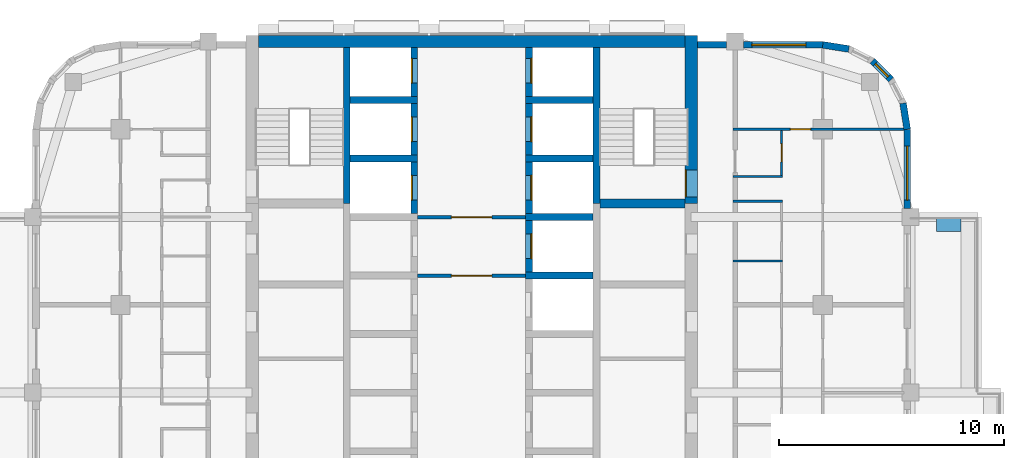
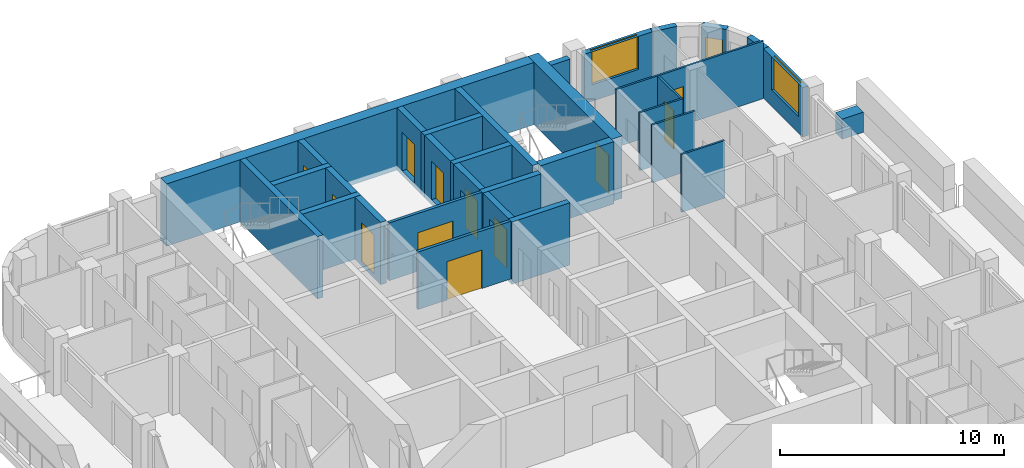
# One storey, part 8 of 13: 32 walls, 12 doors, 3 windows, 15 openings.
"""IFC4 building model written with IfcOpenShell, lengths in metres."""

from ifc_helpers import new_model, si_unit, direction, frame, frame_2d, origin, place, context, subcontext, project, spatial, rectangle, extrude, material, layer, layer_set, type_object, element, fill, save


model = new_model("IFC4")

# Units and contexts
model_context = context("Model", 3, precision=1e-05, world=origin(), true_north=direction((0.0, 1.0)))
body_context = subcontext(model_context, "Body", "Model", "MODEL_VIEW")
ifc_project = project(units=[si_unit("LENGTHUNIT", "METRE"), si_unit("AREAUNIT", "SQUARE_METRE"), si_unit("VOLUMEUNIT", "CUBIC_METRE"), si_unit("PLANEANGLEUNIT", "RADIAN"), si_unit("MASSUNIT", "GRAM", prefix="KILO")], contexts=[model_context])

# Site, building, storey
site_placement = place(None, origin())
site = spatial("IfcSite", under=ifc_project, at=site_placement, CompositionType="ELEMENT")
building_placement = place(site_placement, origin())
building = spatial("IfcBuilding", under=site, at=building_placement, Name="Ludao Terraces", CompositionType="ELEMENT")
storey_placement = place(building_placement, frame((0.0, 0.0, 158.800048828125)))
storey = spatial("IfcBuildingStorey", under=building, at=storey_placement, Name="L43", CompositionType="ELEMENT", Elevation=158.800048828125)

# Wall, opening, door
ifc_material_1 = material(Name="Concrete C60", Category="concrete")
ifc_layer_1 = layer(ifc_material_1, 0.550048828125)
ifc_layer_set_1 = layer_set([ifc_layer_1], Name="Core wall 550 C60")
wall_type_1 = type_object("IfcWallType", Name="Core wall 550 C60", PredefinedType="SOLIDWALL", material=ifc_layer_set_1)
wall_1_placement = place(storey_placement, frame((94.75, 77.300048828125, -0.25), z_axis=(0.0, 0.0, 1.0), x_axis=(0.0, 1.0, 0.0)))
wall_1 = element("IfcWall", 1, at=wall_1_placement, inside=storey, type_object=wall_type_1, Name="Core wall L43 outer-E-S2", PredefinedType="SOLIDWALL", context=body_context, shape_type="SweptSolid", body=[
    extrude(rectangle(XDim=7.474853515625, YDim=0.550048828125, at=frame_2d((3.7373046875, 0.0))), origin(), (0.0, 0.0, 1.0), 3.39990234375),
])
opening_1_placement = place(wall_1_placement, frame((0.300048828125, 0.0, 0.25)))
opening_1 = element("IfcOpeningElement", 2, at=opening_1_placement, cuts=wall_1, Name="Opening R15-076", PredefinedType="OPENING", context=body_context, shape_type="SweptSolid", body=[
    extrude(rectangle(XDim=1.199951171875, YDim=2.10009765625, at=frame_2d((0.60009765625, 1.050048828125))), frame((0.0, 0.28515625, 0.0), z_axis=(0.0, -1.0, 0.0), x_axis=(1.0, 0.0, 0.0)), (0.0, 0.0, 1.0), 0.570068359375),
])
ifc_material_2 = material(Name="Steel Q235", Category="steel")
door_type_1 = type_object("IfcDoorType", Name="INT Stair door 1200", OperationType="DOUBLE_DOOR_SINGLE_SWING", PredefinedType="DOOR", material=ifc_material_2)
door_1_placement = place(opening_1_placement, origin())
door_1 = element("IfcDoor", 3, at=door_1_placement, inside=storey, type_object=door_type_1, Name="DOOR 076", OperationType="DOUBLE_DOOR_SINGLE_SWING", OverallHeight=2.10009765625, OverallWidth=1.199951171875, PredefinedType="DOOR", context=body_context, shape_type="SweptSolid", body=[
    extrude(rectangle(XDim=1.199951171875, YDim=2.10009765625, at=frame_2d((0.60009765625, 1.050048828125))), frame((0.0, 0.26025390625, 0.0), z_axis=(0.0, -1.0, 0.0), x_axis=(1.0, 0.0, 0.0)), (0.0, 0.0, 1.0), 0.050048828125),
])
fill(opening_1, door_1)

# Walls
wall_2_placement = place(storey_placement, frame((75.52490234375, 84.5, -0.25), z_axis=(0.0, 0.0, 1.0), x_axis=(1.0, 0.0, 0.0)))
element("IfcWall", 4, at=wall_2_placement, inside=storey, type_object=wall_type_1, Name="Core wall L43 outer-N", PredefinedType="SOLIDWALL", context=body_context, shape_type="SweptSolid", body=[
    extrude(rectangle(XDim=18.9501953125, YDim=0.550048828125, at=frame_2d((9.47509765625, 0.0))), origin(), (0.0, 0.0, 1.0), 3.39990234375),
])
ifc_material_3 = material(Name="Concrete C40", Category="concrete")
ifc_layer_2 = layer(ifc_material_3, 0.60009765625)
ifc_layer_set_2 = layer_set([ifc_layer_2], Name="ENV Planter trough 600")
wall_type_2 = type_object("IfcWallType", Name="ENV Planter trough 600", PredefinedType="USERDEFINED", material=ifc_layer_set_2)
wall_3_placement = place(storey_placement, frame((106.75, 76.35009765625, 0.0), z_axis=(0.0, 0.0, 1.0), x_axis=(-1.0, 0.0, 0.0)))
element("IfcWall", 5, at=wall_3_placement, inside=storey, type_object=wall_type_2, Name="PL-L43-E3-SB", ObjectType="PLANTER", PredefinedType="USERDEFINED", context=body_context, shape_type="SweptSolid", body=[
    extrude(rectangle(XDim=1.10009765625, YDim=0.60009765625, at=frame_2d((0.550048828125, 0.0))), origin(), (0.0, 0.0, 1.0), 1.099853515625),
])

# Wall, opening, window
ifc_material_4 = material(Name="Granite cladding", Category="masonry")
ifc_layer_3 = layer(ifc_material_4, 0.0400390625, Category="stone")
ifc_material_5 = material(Name="Mineral wool")
ifc_layer_4 = layer(ifc_material_5, 0.06005859375)
ifc_layer_5 = layer(ifc_material_3, 0.199951171875, Category="concrete")
ifc_layer_set_3 = layer_set([ifc_layer_3, ifc_layer_4, ifc_layer_5], Name="ENV Stone-clad wall 300")
wall_type_3 = type_object("IfcWallType", Name="ENV Stone-clad wall 300", PredefinedType="SOLIDWALL", material=ifc_layer_set_3)
wall_4_placement = place(storey_placement, frame((104.35009765625, 77.074951171875, 0.0), z_axis=(0.0, 0.0, 1.0), x_axis=(0.0, 1.0, 0.0)))
wall_4 = element("IfcWall", 6, at=wall_4_placement, inside=storey, type_object=wall_type_3, Name="EW-L43-E5", PredefinedType="SOLIDWALL", context=body_context, shape_type="SweptSolid", body=[
    extrude(rectangle(XDim=3.525146484375, YDim=0.300048828125, at=frame_2d((1.7626953125, 0.0))), origin(), (0.0, 0.0, 1.0), 2.699951171875),
])
opening_2_placement = place(wall_4_placement, frame((0.375, 0.0, 0.89990234375)))
opening_2 = element("IfcOpeningElement", 7, at=opening_2_placement, cuts=wall_4, Name="Opening W1", PredefinedType="OPENING", context=body_context, shape_type="SweptSolid", body=[
    extrude(rectangle(XDim=2.39990234375, YDim=1.800048828125, at=frame_2d((1.199951171875, 0.89990234375))), frame((0.0, 0.16015625, 0.0), z_axis=(0.0, -1.0, 0.0), x_axis=(1.0, 0.0, 0.0)), (0.0, 0.0, 1.0), 0.320068359375),
])
ifc_material_6 = material(Name="Clear glass in aluminium frame", Category="aluminium")
ifc_layer_6 = layer(ifc_material_6, 0.06005859375)
ifc_layer_set_4 = layer_set([ifc_layer_6], Name="ENV Window W1 2400x1800")
window_type_1 = type_object("IfcWindowType", Name="ENV Window W1 2400x1800", PartitioningType="DOUBLE_PANEL_VERTICAL", PredefinedType="WINDOW", material=ifc_layer_set_4)
window_1_placement = place(opening_2_placement, origin())
window_1 = element("IfcWindow", 8, at=window_1_placement, inside=storey, type_object=window_type_1, Name="W-L43-E5-1", OverallHeight=1.800048828125, OverallWidth=2.39990234375, PartitioningType="DOUBLE_PANEL_VERTICAL", PredefinedType="WINDOW", context=body_context, shape_type="SweptSolid", body=[
    extrude(rectangle(XDim=2.39990234375, YDim=1.800048828125, at=frame_2d((1.199951171875, 0.89990234375))), frame((0.0, 0.030029296875, 0.0), z_axis=(0.0, -1.0, 0.0), x_axis=(1.0, 0.0, 0.0)), (0.0, 0.0, 1.0), 0.06005859375),
])
fill(opening_2, window_1)

# Wall
wall_5_placement = place(storey_placement, frame((95.02490234375, 84.35009765625, 0.0), z_axis=(0.0, 0.0, 1.0), x_axis=(1.0, 0.0, 0.0)))
element("IfcWall", 9, at=wall_5_placement, inside=storey, type_object=wall_type_3, Name="EW-L43-N3", PredefinedType="SOLIDWALL", context=body_context, shape_type="SweptSolid", body=[
    extrude(rectangle(XDim=1.300048828125, YDim=0.300048828125, at=frame_2d((0.64990234375, 0.0))), origin(), (0.0, 0.0, 1.0), 2.699951171875),
])

# Wall, opening, window
wall_6_placement = place(storey_placement, frame((97.074951171875, 84.35009765625, 0.0), z_axis=(0.0, 0.0, 1.0), x_axis=(1.0, 0.0, 0.0)))
wall_6 = element("IfcWall", 10, at=wall_6_placement, inside=storey, type_object=wall_type_3, Name="EW-L43-N4", PredefinedType="SOLIDWALL", context=body_context, shape_type="SweptSolid", body=[
    extrude(rectangle(XDim=3.525146484375, YDim=0.300048828125, at=frame_2d((1.7626953125, 0.0))), origin(), (0.0, 0.0, 1.0), 2.699951171875),
])
opening_3_placement = place(wall_6_placement, frame((0.375, 0.0, 0.89990234375)))
opening_3 = element("IfcOpeningElement", 11, at=opening_3_placement, cuts=wall_6, Name="Opening W1", PredefinedType="OPENING", context=body_context, shape_type="SweptSolid", body=[
    extrude(rectangle(XDim=2.39990234375, YDim=1.800048828125, at=frame_2d((1.199951171875, 0.89990234375))), frame((0.0, 0.16015625, 0.0), z_axis=(0.0, -1.0, 0.0), x_axis=(1.0, 0.0, 0.0)), (0.0, 0.0, 1.0), 0.320068359375),
])
window_2_placement = place(opening_3_placement, origin())
window_2 = element("IfcWindow", 12, at=window_2_placement, inside=storey, type_object=window_type_1, Name="W-L43-N4-1", OverallHeight=1.800048828125, OverallWidth=2.39990234375, PartitioningType="DOUBLE_PANEL_VERTICAL", PredefinedType="WINDOW", context=body_context, shape_type="SweptSolid", body=[
    extrude(rectangle(XDim=2.39990234375, YDim=1.800048828125, at=frame_2d((1.199951171875, 0.89990234375))), frame((0.0, 0.030029296875, 0.0), z_axis=(0.0, -1.0, 0.0), x_axis=(1.0, 0.0, 0.0)), (0.0, 0.0, 1.0), 0.06005859375),
])
fill(opening_3, window_2)

# Wall
wall_7_placement = place(storey_placement, frame((104.35009765625, 80.60009765625, 0.0), z_axis=(0.0, 0.0, 1.0), x_axis=(-0.156496880861, 0.987678452879, 0.0)))
element("IfcWall", 13, at=wall_7_placement, inside=storey, type_object=wall_type_3, Name="EW-L43-NE1", PredefinedType="SOLIDWALL", context=body_context, shape_type="SweptSolid", body=[
    extrude(rectangle(XDim=1.173095703125, YDim=0.300048828125, at=frame_2d((0.58642578125, 0.0))), origin(), (0.0, 0.0, 1.0), 2.699951171875),
])

# Wall, opening, window
wall_8_placement = place(storey_placement, frame((103.6337890625, 82.80419921875, 0.0), z_axis=(0.0, 0.0, 1.0), x_axis=(-0.707106781187, 0.707106781187, 0.0)))
wall_8 = element("IfcWall", 14, at=wall_8_placement, inside=storey, type_object=wall_type_3, Name="EW-L43-NE3", PredefinedType="SOLIDWALL", context=body_context, shape_type="SweptSolid", body=[
    extrude(rectangle(XDim=1.173095703125, YDim=0.300048828125, at=frame_2d((0.58642578125, 0.0))), origin(), (0.0, 0.0, 1.0), 2.699951171875),
])
opening_4_placement = place(wall_8_placement, frame((0.1865234375, 0.0, 0.89990234375)))
opening_4 = element("IfcOpeningElement", 15, at=opening_4_placement, cuts=wall_8, Name="Opening W3", PredefinedType="OPENING", context=body_context, shape_type="SweptSolid", body=[
    extrude(rectangle(XDim=0.800048828125, YDim=1.199951171875, at=frame_2d((0.39990234375, 0.60009765625))), frame((0.0, 0.16015625, 0.0), z_axis=(0.0, -1.0, 0.0), x_axis=(1.0, 0.0, 0.0)), (0.0, 0.0, 1.0), 0.320068359375),
])
ifc_layer_7 = layer(ifc_material_6, 0.06005859375)
ifc_layer_set_5 = layer_set([ifc_layer_7], Name="ENV Window W3 800x1200")
window_type_2 = type_object("IfcWindowType", Name="ENV Window W3 800x1200", PartitioningType="SINGLE_PANEL", PredefinedType="WINDOW", material=ifc_layer_set_5)
window_3_placement = place(opening_4_placement, origin())
window_3 = element("IfcWindow", 16, at=window_3_placement, inside=storey, type_object=window_type_2, Name="W-L43-NE3", OverallHeight=1.199951171875, OverallWidth=0.800048828125, PartitioningType="SINGLE_PANEL", PredefinedType="WINDOW", context=body_context, shape_type="SweptSolid", body=[
    extrude(rectangle(XDim=0.800048828125, YDim=1.199951171875, at=frame_2d((0.39990234375, 0.60009765625))), frame((0.0, 0.030029296875, 0.0), z_axis=(0.0, -1.0, 0.0), x_axis=(1.0, 0.0, 0.0)), (0.0, 0.0, 1.0), 0.06005859375),
])
fill(opening_4, window_3)

# Wall
wall_9_placement = place(storey_placement, frame((101.7587890625, 84.16650390625, 0.0), z_axis=(0.0, 0.0, 1.0), x_axis=(-0.987678452879, 0.156496880861, 0.0)))
element("IfcWall", 17, at=wall_9_placement, inside=storey, type_object=wall_type_3, Name="EW-L43-NE5", PredefinedType="SOLIDWALL", context=body_context, shape_type="SweptSolid", body=[
    extrude(rectangle(XDim=1.173095703125, YDim=0.300048828125, at=frame_2d((0.58642578125, 0.0))), origin(), (0.0, 0.0, 1.0), 2.699951171875),
])

# Wall, opening, door
ifc_material_7 = material(Name="Fire-rated gypsum plasterboard", Category="gypsum")
ifc_layer_8 = layer(ifc_material_7, 0.012451171875, Category="gypsum")
ifc_layer_9 = layer(ifc_material_5, 0.10009765625, Name="insulation")
ifc_layer_10 = layer(ifc_material_2, 0.02490234375, Name="stud")
ifc_layer_11 = layer(ifc_material_7, 0.012451171875, Category="gypsum")
ifc_layer_set_6 = layer_set([ifc_layer_8, ifc_layer_9, ifc_layer_10, ifc_layer_11], Name="INT Core partition 150")
wall_type_4 = type_object("IfcWallType", Name="INT Core partition 150", PredefinedType="PARTITIONING", material=ifc_layer_set_6)
wall_10_placement = place(storey_placement, frame((82.60009765625, 74.10009765625, 0.0), z_axis=(0.0, 0.0, 1.0), x_axis=(1.0, 0.0, 0.0)))
wall_10 = element("IfcWall", 18, at=wall_10_placement, inside=storey, type_object=wall_type_4, Name="PW-L43-PW034", PredefinedType="PARTITIONING", context=body_context, shape_type="SweptSolid", body=[
    extrude(rectangle(XDim=4.800048828125, YDim=0.14990234375, at=frame_2d((2.39990234375, 0.0))), origin(), (0.0, 0.0, 1.0), 3.14990234375),
])
opening_5_placement = place(wall_10_placement, frame((1.5, 0.0, 0.0)))
opening_5 = element("IfcOpeningElement", 19, at=opening_5_placement, cuts=wall_10, Name="Opening R15-061", PredefinedType="OPENING", context=body_context, shape_type="SweptSolid", body=[
    extrude(rectangle(XDim=1.800048828125, YDim=2.10009765625, at=frame_2d((0.89990234375, 1.050048828125))), frame((0.0, 0.0849609375, 0.0), z_axis=(0.0, -1.0, 0.0), x_axis=(1.0, 0.0, 0.0)), (0.0, 0.0, 1.0), 0.169921875),
])
door_type_2 = type_object("IfcDoorType", Name="INT Fire lobby door 1800", OperationType="DOUBLE_DOOR_SINGLE_SWING", PredefinedType="DOOR", material=ifc_material_2)
door_2_placement = place(opening_5_placement, origin())
door_2 = element("IfcDoor", 20, at=door_2_placement, inside=storey, type_object=door_type_2, Name="DOOR 061", OperationType="DOUBLE_DOOR_SINGLE_SWING", OverallHeight=2.10009765625, OverallWidth=1.800048828125, PredefinedType="DOOR", context=body_context, shape_type="SweptSolid", body=[
    extrude(rectangle(XDim=1.800048828125, YDim=2.10009765625, at=frame_2d((0.89990234375, 1.050048828125))), frame((0.0, 0.02490234375, 0.0), z_axis=(0.0, -1.0, 0.0), x_axis=(1.0, 0.0, 0.0)), (0.0, 0.0, 1.0), 0.050048828125),
])
fill(opening_5, door_2)

wall_11_placement = place(storey_placement, frame((82.60009765625, 76.699951171875, 0.0), z_axis=(0.0, 0.0, 1.0), x_axis=(1.0, 0.0, 0.0)))
wall_11 = element("IfcWall", 21, at=wall_11_placement, inside=storey, type_object=wall_type_4, Name="PW-L43-PW039", PredefinedType="PARTITIONING", context=body_context, shape_type="SweptSolid", body=[
    extrude(rectangle(XDim=4.800048828125, YDim=0.14990234375, at=frame_2d((2.39990234375, 0.0))), origin(), (0.0, 0.0, 1.0), 3.14990234375),
])
opening_6_placement = place(wall_11_placement, frame((1.5, 0.0, 0.0)))
opening_6 = element("IfcOpeningElement", 22, at=opening_6_placement, cuts=wall_11, Name="Opening R15-069", PredefinedType="OPENING", context=body_context, shape_type="SweptSolid", body=[
    extrude(rectangle(XDim=1.800048828125, YDim=2.10009765625, at=frame_2d((0.89990234375, 1.050048828125))), frame((0.0, 0.0849609375, 0.0), z_axis=(0.0, -1.0, 0.0), x_axis=(1.0, 0.0, 0.0)), (0.0, 0.0, 1.0), 0.169921875),
])
door_3_placement = place(opening_6_placement, origin())
door_3 = element("IfcDoor", 23, at=door_3_placement, inside=storey, type_object=door_type_2, Name="DOOR 069", OperationType="DOUBLE_DOOR_SINGLE_SWING", OverallHeight=2.10009765625, OverallWidth=1.800048828125, PredefinedType="DOOR", context=body_context, shape_type="SweptSolid", body=[
    extrude(rectangle(XDim=1.800048828125, YDim=2.10009765625, at=frame_2d((0.89990234375, 1.050048828125))), frame((0.0, 0.02490234375, 0.0), z_axis=(0.0, -1.0, 0.0), x_axis=(1.0, 0.0, 0.0)), (0.0, 0.0, 1.0), 0.050048828125),
])
fill(opening_6, door_3)

# Walls
ifc_material_8 = material(Name="Gypsum plasterboard", Category="gypsum")
ifc_layer_12 = layer(ifc_material_8, 0.012451171875, Category="gypsum")
ifc_layer_13 = layer(ifc_material_5, 0.06005859375, Name="insulation")
ifc_layer_14 = layer(ifc_material_2, 0.014892578125, Name="stud")
ifc_layer_15 = layer(ifc_material_8, 0.012451171875, Category="gypsum")
ifc_layer_set_7 = layer_set([ifc_layer_12, ifc_layer_13, ifc_layer_14, ifc_layer_15], Name="INT Partition 100")
wall_type_5 = type_object("IfcWallType", Name="INT Partition 100", PredefinedType="PARTITIONING", material=ifc_layer_set_7)
for number, where, z_axis, x_axis, name in (
    (24, (96.60009765625, 74.75, 0.0), (0.0, 0.0, 1.0), (1.0, 0.0, 0.0), "PW-L43-PW035"),
    (25, (96.60009765625, 77.39990234375, 0.0), (0.0, 0.0, 1.0), (1.0, 0.0, 0.0), "PW-L43-PW040"),
    (26, (96.60009765625, 78.5, 0.0), (0.0, 0.0, 1.0), (1.0, 0.0, 0.0), "PW-L43-PW042"),
):
    element("IfcWall", number, at=place(storey_placement, frame(where, z_axis=z_axis, x_axis=x_axis)), inside=storey, type_object=wall_type_5, Name=name, PredefinedType="PARTITIONING", context=body_context, shape_type="SweptSolid", body=[
        extrude(rectangle(XDim=2.219970703125, YDim=0.10009765625, at=frame_2d((1.10986328125, 0.0))), origin(), (0.0, 0.0, 1.0), 3.14990234375),
    ])

# Wall, opening, door
wall_12_placement = place(storey_placement, frame((96.60009765625, 80.60009765625, 0.0), z_axis=(0.0, 0.0, 1.0), x_axis=(1.0, 0.0, 0.0)))
wall_12 = element("IfcWall", 27, at=wall_12_placement, inside=storey, type_object=wall_type_5, Name="PW-L43-PW045", PredefinedType="PARTITIONING", context=body_context, shape_type="SweptSolid", body=[
    extrude(rectangle(XDim=7.60009765625, YDim=0.10009765625, at=frame_2d((3.800048828125, 0.0))), origin(), (0.0, 0.0, 1.0), 3.14990234375),
])
opening_7_placement = place(wall_12_placement, frame((2.56005859375, 0.0, 0.0)))
opening_7 = element("IfcOpeningElement", 28, at=opening_7_placement, cuts=wall_12, Name="Opening R15-084", PredefinedType="OPENING", context=body_context, shape_type="SweptSolid", body=[
    extrude(rectangle(XDim=0.89990234375, YDim=2.10009765625, at=frame_2d((0.449951171875, 1.050048828125))), frame((0.0, 0.06005859375, 0.0), z_axis=(0.0, -1.0, 0.0), x_axis=(1.0, 0.0, 0.0)), (0.0, 0.0, 1.0), 0.1201171875),
])
ifc_material_9 = material(Name="Timber door leaf", Category="wood")
door_type_3 = type_object("IfcDoorType", Name="INT Room door 900", OperationType="SINGLE_SWING_LEFT", PredefinedType="DOOR", material=ifc_material_9)
door_4_placement = place(opening_7_placement, origin())
door_4 = element("IfcDoor", 29, at=door_4_placement, inside=storey, type_object=door_type_3, Name="DOOR 084", OperationType="SINGLE_SWING_RIGHT", OverallHeight=2.10009765625, OverallWidth=0.89990234375, PredefinedType="DOOR", context=body_context, shape_type="SweptSolid", body=[
    extrude(rectangle(XDim=0.89990234375, YDim=2.10009765625, at=frame_2d((0.449951171875, 1.050048828125))), frame((0.0, 0.02490234375, 0.0), z_axis=(0.0, -1.0, 0.0), x_axis=(1.0, 0.0, 0.0)), (0.0, 0.0, 1.0), 0.050048828125),
])
fill(opening_7, door_4)

wall_13_placement = place(storey_placement, frame((98.77001953125, 78.550048828125, 0.0), z_axis=(0.0, 0.0, 1.0), x_axis=(0.0, 1.0, 0.0)))
wall_13 = element("IfcWall", 30, at=wall_13_placement, inside=storey, type_object=wall_type_5, Name="PW-L43-PW060", PredefinedType="PARTITIONING", context=body_context, shape_type="SweptSolid", body=[
    extrude(rectangle(XDim=2.0, YDim=0.10009765625, at=frame_2d((1.0, 0.0))), origin(), (0.0, 0.0, 1.0), 3.14990234375),
])
opening_8_placement = place(wall_13_placement, frame((0.60009765625, 0.0, 0.0)))
opening_8 = element("IfcOpeningElement", 31, at=opening_8_placement, cuts=wall_13, Name="Opening R15-079", PredefinedType="OPENING", context=body_context, shape_type="SweptSolid", body=[
    extrude(rectangle(XDim=0.800048828125, YDim=2.10009765625, at=frame_2d((0.39990234375, 1.050048828125))), frame((0.0, 0.06005859375, 0.0), z_axis=(0.0, -1.0, 0.0), x_axis=(1.0, 0.0, 0.0)), (0.0, 0.0, 1.0), 0.1201171875),
])
door_type_4 = type_object("IfcDoorType", Name="INT Store door 800", OperationType="SINGLE_SWING_LEFT", PredefinedType="DOOR", material=ifc_material_9)
door_5_placement = place(opening_8_placement, origin())
door_5 = element("IfcDoor", 32, at=door_5_placement, inside=storey, type_object=door_type_4, Name="DOOR 079", OperationType="SINGLE_SWING_LEFT", OverallHeight=2.10009765625, OverallWidth=0.800048828125, PredefinedType="DOOR", context=body_context, shape_type="SweptSolid", body=[
    extrude(rectangle(XDim=0.800048828125, YDim=2.10009765625, at=frame_2d((0.39990234375, 1.050048828125))), frame((0.0, 0.02490234375, 0.0), z_axis=(0.0, -1.0, 0.0), x_axis=(1.0, 0.0, 0.0)), (0.0, 0.0, 1.0), 0.050048828125),
])
fill(opening_8, door_5)

# Walls
ifc_material_10 = material(Name="Concrete C55", Category="concrete")
ifc_layer_16 = layer(ifc_material_10, 0.300048828125)
ifc_layer_set_8 = layer_set([ifc_layer_16], Name="Shaft wall 300 C55")
wall_type_6 = type_object("IfcWallType", Name="Shaft wall 300 C55", PredefinedType="SOLIDWALL", material=ifc_layer_set_8)
for number, where, z_axis, x_axis, name in (
    (33, (79.449951171875, 77.300048828125, -0.25), (0.0, 0.0, 1.0), (0.0, 1.0, 0.0), "Core wall L43 back-W-S1"),
    (34, (90.550048828125, 77.300048828125, -0.25), (0.0, 0.0, 1.0), (0.0, 1.0, 0.0), "Core wall L43 back-E-S2"),
):
    element("IfcWall", number, at=place(storey_placement, frame(where, z_axis=z_axis, x_axis=x_axis)), inside=storey, type_object=wall_type_6, Name=name, PredefinedType="SOLIDWALL", context=body_context, shape_type="SweptSolid", body=[
        extrude(rectangle(XDim=6.925048828125, YDim=0.300048828125, at=frame_2d((3.46240234375, 0.0))), origin(), (0.0, 0.0, 1.0), 3.39990234375),
    ])

# Wall, opening, door
wall_14_placement = place(storey_placement, frame((82.449951171875, 76.85009765625, -0.25), z_axis=(0.0, 0.0, 1.0), x_axis=(0.0, 1.0, 0.0)))
wall_14 = element("IfcWall", 35, at=wall_14_placement, inside=storey, type_object=wall_type_6, Name="Core wall L43 front-W7", PredefinedType="SOLIDWALL", context=body_context, shape_type="SweptSolid", body=[
    extrude(rectangle(XDim=2.2998046875, YDim=0.300048828125, at=frame_2d((1.14990234375, 0.0))), origin(), (0.0, 0.0, 1.0), 3.39990234375),
])
opening_9_placement = place(wall_14_placement, frame((0.60009765625, 0.0, 0.25)))
opening_9 = element("IfcOpeningElement", 36, at=opening_9_placement, cuts=wall_14, Name="Opening LD-FF1", PredefinedType="OPENING", context=body_context, shape_type="SweptSolid", body=[
    extrude(rectangle(XDim=1.10009765625, YDim=2.10009765625, at=frame_2d((0.550048828125, 1.050048828125))), frame((0.0, 0.16015625, 0.0), z_axis=(0.0, -1.0, 0.0), x_axis=(1.0, 0.0, 0.0)), (0.0, 0.0, 1.0), 0.320068359375),
])
ifc_material_11 = material(Name="Stainless steel 304", Category="steel")
door_type_5 = type_object("IfcDoorType", Name="INT Lift landing door 1100", OperationType="SLIDING_TO_LEFT", PredefinedType="DOOR", material=ifc_material_11)
door_6_placement = place(opening_9_placement, origin())
door_6 = element("IfcDoor", 37, at=door_6_placement, inside=storey, type_object=door_type_5, Name="LANDING DOOR FF1 L43", OperationType="SLIDING_TO_LEFT", OverallHeight=2.10009765625, OverallWidth=1.10009765625, PredefinedType="DOOR", context=body_context, shape_type="SweptSolid", body=[
    extrude(rectangle(XDim=1.10009765625, YDim=2.10009765625, at=frame_2d((0.550048828125, 1.050048828125))), frame((0.0, 0.13525390625, 0.0), z_axis=(0.0, -1.0, 0.0), x_axis=(1.0, 0.0, 0.0)), (0.0, 0.0, 1.0), 0.050048828125),
])
fill(opening_9, door_6)

# Wall
wall_15_placement = place(storey_placement, frame((79.60009765625, 79.300048828125, -0.25), z_axis=(0.0, 0.0, 1.0), x_axis=(1.0, 0.0, 0.0)))
element("IfcWall", 38, at=wall_15_placement, inside=storey, type_object=wall_type_6, Name="Core wall L43 div-W8", PredefinedType="SOLIDWALL", context=body_context, shape_type="SweptSolid", body=[
    extrude(rectangle(XDim=3.0, YDim=0.300048828125, at=frame_2d((1.5, 0.0))), origin(), (0.0, 0.0, 1.0), 3.39990234375),
])

# Wall, opening, door
wall_16_placement = place(storey_placement, frame((82.449951171875, 79.449951171875, -0.25), z_axis=(0.0, 0.0, 1.0), x_axis=(0.0, 1.0, 0.0)))
wall_16 = element("IfcWall", 39, at=wall_16_placement, inside=storey, type_object=wall_type_6, Name="Core wall L43 front-W8", PredefinedType="SOLIDWALL", context=body_context, shape_type="SweptSolid", body=[
    extrude(rectangle(XDim=2.300048828125, YDim=0.300048828125, at=frame_2d((1.14990234375, 0.0))), origin(), (0.0, 0.0, 1.0), 3.39990234375),
])
opening_10_placement = place(wall_16_placement, frame((0.60009765625, 0.0, 0.25)))
opening_10 = element("IfcOpeningElement", 40, at=opening_10_placement, cuts=wall_16, Name="Opening LD-FF2", PredefinedType="OPENING", context=body_context, shape_type="SweptSolid", body=[
    extrude(rectangle(XDim=1.10009765625, YDim=2.10009765625, at=frame_2d((0.550048828125, 1.050048828125))), frame((0.0, 0.16015625, 0.0), z_axis=(0.0, -1.0, 0.0), x_axis=(1.0, 0.0, 0.0)), (0.0, 0.0, 1.0), 0.320068359375),
])
door_7_placement = place(opening_10_placement, origin())
door_7 = element("IfcDoor", 41, at=door_7_placement, inside=storey, type_object=door_type_5, Name="LANDING DOOR FF2 L43", OperationType="SLIDING_TO_LEFT", OverallHeight=2.10009765625, OverallWidth=1.10009765625, PredefinedType="DOOR", context=body_context, shape_type="SweptSolid", body=[
    extrude(rectangle(XDim=1.10009765625, YDim=2.10009765625, at=frame_2d((0.550048828125, 1.050048828125))), frame((0.0, 0.13525390625, 0.0), z_axis=(0.0, -1.0, 0.0), x_axis=(1.0, 0.0, 0.0)), (0.0, 0.0, 1.0), 0.050048828125),
])
fill(opening_10, door_7)

# Wall
wall_17_placement = place(storey_placement, frame((79.60009765625, 81.89990234375, -0.25), z_axis=(0.0, 0.0, 1.0), x_axis=(1.0, 0.0, 0.0)))
element("IfcWall", 42, at=wall_17_placement, inside=storey, type_object=wall_type_6, Name="Core wall L43 div-W9", PredefinedType="SOLIDWALL", context=body_context, shape_type="SweptSolid", body=[
    extrude(rectangle(XDim=3.0, YDim=0.300048828125, at=frame_2d((1.5, 0.0))), origin(), (0.0, 0.0, 1.0), 3.39990234375),
])

# Wall, opening, door
wall_18_placement = place(storey_placement, frame((82.449951171875, 82.050048828125, -0.25), z_axis=(0.0, 0.0, 1.0), x_axis=(0.0, 1.0, 0.0)))
wall_18 = element("IfcWall", 43, at=wall_18_placement, inside=storey, type_object=wall_type_6, Name="Core wall L43 front-W9", PredefinedType="SOLIDWALL", context=body_context, shape_type="SweptSolid", body=[
    extrude(rectangle(XDim=2.175048828125, YDim=0.300048828125, at=frame_2d((1.08740234375, 0.0))), origin(), (0.0, 0.0, 1.0), 3.39990234375),
])
opening_11_placement = place(wall_18_placement, frame((0.60009765625, 0.0, 0.25)))
opening_11 = element("IfcOpeningElement", 44, at=opening_11_placement, cuts=wall_18, Name="Opening LD-LB6", PredefinedType="OPENING", context=body_context, shape_type="SweptSolid", body=[
    extrude(rectangle(XDim=1.10009765625, YDim=2.10009765625, at=frame_2d((0.550048828125, 1.050048828125))), frame((0.0, 0.16015625, 0.0), z_axis=(0.0, -1.0, 0.0), x_axis=(1.0, 0.0, 0.0)), (0.0, 0.0, 1.0), 0.320068359375),
])
door_8_placement = place(opening_11_placement, origin())
door_8 = element("IfcDoor", 45, at=door_8_placement, inside=storey, type_object=door_type_5, Name="LANDING DOOR LB6 L43", OperationType="SLIDING_TO_RIGHT", OverallHeight=2.10009765625, OverallWidth=1.10009765625, PredefinedType="DOOR", context=body_context, shape_type="SweptSolid", body=[
    extrude(rectangle(XDim=1.10009765625, YDim=2.10009765625, at=frame_2d((0.550048828125, 1.050048828125))), frame((0.0, 0.13525390625, 0.0), z_axis=(0.0, -1.0, 0.0), x_axis=(1.0, 0.0, 0.0)), (0.0, 0.0, 1.0), 0.050048828125),
])
fill(opening_11, door_8)

# Wall
wall_19_placement = place(storey_placement, frame((87.39990234375, 74.10009765625, -0.25), z_axis=(0.0, 0.0, 1.0), x_axis=(1.0, 0.0, 0.0)))
element("IfcWall", 46, at=wall_19_placement, inside=storey, type_object=wall_type_6, Name="Core wall L43 div-E6", PredefinedType="SOLIDWALL", context=body_context, shape_type="SweptSolid", body=[
    extrude(rectangle(XDim=3.0, YDim=0.300048828125, at=frame_2d((1.5, 0.0))), origin(), (0.0, 0.0, 1.0), 3.39990234375),
])

# Wall, opening, door
wall_20_placement = place(storey_placement, frame((87.550048828125, 74.25, -0.25), z_axis=(0.0, 0.0, 1.0), x_axis=(0.0, 1.0, 0.0)))
wall_20 = element("IfcWall", 47, at=wall_20_placement, inside=storey, type_object=wall_type_6, Name="Core wall L43 front-E6", PredefinedType="SOLIDWALL", context=body_context, shape_type="SweptSolid", body=[
    extrude(rectangle(XDim=2.300048828125, YDim=0.300048828125, at=frame_2d((1.14990234375, 0.0))), origin(), (0.0, 0.0, 1.0), 3.39990234375),
])
opening_12_placement = place(wall_20_placement, frame((0.60009765625, 0.0, 0.25)))
opening_12 = element("IfcOpeningElement", 48, at=opening_12_placement, cuts=wall_20, Name="Opening LD-LB2", PredefinedType="OPENING", context=body_context, shape_type="SweptSolid", body=[
    extrude(rectangle(XDim=1.10009765625, YDim=2.10009765625, at=frame_2d((0.550048828125, 1.050048828125))), frame((0.0, 0.16015625, 0.0), z_axis=(0.0, -1.0, 0.0), x_axis=(1.0, 0.0, 0.0)), (0.0, 0.0, 1.0), 0.320068359375),
])
door_9_placement = place(opening_12_placement, origin())
door_9 = element("IfcDoor", 49, at=door_9_placement, inside=storey, type_object=door_type_5, Name="LANDING DOOR LB2 L43", OperationType="SLIDING_TO_LEFT", OverallHeight=2.10009765625, OverallWidth=1.10009765625, PredefinedType="DOOR", context=body_context, shape_type="SweptSolid", body=[
    extrude(rectangle(XDim=1.10009765625, YDim=2.10009765625, at=frame_2d((0.550048828125, 1.050048828125))), frame((0.0, -0.0849609375, 0.0), z_axis=(0.0, -1.0, 0.0), x_axis=(1.0, 0.0, 0.0)), (0.0, 0.0, 1.0), 0.050048828125),
])
fill(opening_12, door_9)

# Wall
wall_21_placement = place(storey_placement, frame((87.39990234375, 76.699951171875, -0.25), z_axis=(0.0, 0.0, 1.0), x_axis=(1.0, 0.0, 0.0)))
element("IfcWall", 50, at=wall_21_placement, inside=storey, type_object=wall_type_6, Name="Core wall L43 div-E7", PredefinedType="SOLIDWALL", context=body_context, shape_type="SweptSolid", body=[
    extrude(rectangle(XDim=3.0, YDim=0.300048828125, at=frame_2d((1.5, 0.0))), origin(), (0.0, 0.0, 1.0), 3.39990234375),
])

# Wall, opening, door
wall_22_placement = place(storey_placement, frame((87.550048828125, 76.85009765625, -0.25), z_axis=(0.0, 0.0, 1.0), x_axis=(0.0, 1.0, 0.0)))
wall_22 = element("IfcWall", 51, at=wall_22_placement, inside=storey, type_object=wall_type_6, Name="Core wall L43 front-E7", PredefinedType="SOLIDWALL", context=body_context, shape_type="SweptSolid", body=[
    extrude(rectangle(XDim=2.2998046875, YDim=0.300048828125, at=frame_2d((1.14990234375, 0.0))), origin(), (0.0, 0.0, 1.0), 3.39990234375),
])
opening_13_placement = place(wall_22_placement, frame((0.60009765625, 0.0, 0.25)))
opening_13 = element("IfcOpeningElement", 52, at=opening_13_placement, cuts=wall_22, Name="Opening LD-LB3", PredefinedType="OPENING", context=body_context, shape_type="SweptSolid", body=[
    extrude(rectangle(XDim=1.10009765625, YDim=2.10009765625, at=frame_2d((0.550048828125, 1.050048828125))), frame((0.0, 0.16015625, 0.0), z_axis=(0.0, -1.0, 0.0), x_axis=(1.0, 0.0, 0.0)), (0.0, 0.0, 1.0), 0.320068359375),
])
door_10_placement = place(opening_13_placement, origin())
door_10 = element("IfcDoor", 53, at=door_10_placement, inside=storey, type_object=door_type_5, Name="LANDING DOOR LB3 L43", OperationType="SLIDING_TO_LEFT", OverallHeight=2.10009765625, OverallWidth=1.10009765625, PredefinedType="DOOR", context=body_context, shape_type="SweptSolid", body=[
    extrude(rectangle(XDim=1.10009765625, YDim=2.10009765625, at=frame_2d((0.550048828125, 1.050048828125))), frame((0.0, -0.0849609375, 0.0), z_axis=(0.0, -1.0, 0.0), x_axis=(1.0, 0.0, 0.0)), (0.0, 0.0, 1.0), 0.050048828125),
])
fill(opening_13, door_10)

# Wall
wall_23_placement = place(storey_placement, frame((87.39990234375, 79.300048828125, -0.25), z_axis=(0.0, 0.0, 1.0), x_axis=(1.0, 0.0, 0.0)))
element("IfcWall", 54, at=wall_23_placement, inside=storey, type_object=wall_type_6, Name="Core wall L43 div-E8", PredefinedType="SOLIDWALL", context=body_context, shape_type="SweptSolid", body=[
    extrude(rectangle(XDim=3.0, YDim=0.300048828125, at=frame_2d((1.5, 0.0))), origin(), (0.0, 0.0, 1.0), 3.39990234375),
])

# Wall, opening, door
wall_24_placement = place(storey_placement, frame((87.550048828125, 79.449951171875, -0.25), z_axis=(0.0, 0.0, 1.0), x_axis=(0.0, 1.0, 0.0)))
wall_24 = element("IfcWall", 55, at=wall_24_placement, inside=storey, type_object=wall_type_6, Name="Core wall L43 front-E8", PredefinedType="SOLIDWALL", context=body_context, shape_type="SweptSolid", body=[
    extrude(rectangle(XDim=2.300048828125, YDim=0.300048828125, at=frame_2d((1.14990234375, 0.0))), origin(), (0.0, 0.0, 1.0), 3.39990234375),
])
opening_14_placement = place(wall_24_placement, frame((0.60009765625, 0.0, 0.25)))
opening_14 = element("IfcOpeningElement", 56, at=opening_14_placement, cuts=wall_24, Name="Opening LD-LB4", PredefinedType="OPENING", context=body_context, shape_type="SweptSolid", body=[
    extrude(rectangle(XDim=1.10009765625, YDim=2.10009765625, at=frame_2d((0.550048828125, 1.050048828125))), frame((0.0, 0.16015625, 0.0), z_axis=(0.0, -1.0, 0.0), x_axis=(1.0, 0.0, 0.0)), (0.0, 0.0, 1.0), 0.320068359375),
])
door_11_placement = place(opening_14_placement, origin())
door_11 = element("IfcDoor", 57, at=door_11_placement, inside=storey, type_object=door_type_5, Name="LANDING DOOR LB4 L43", OperationType="SLIDING_TO_RIGHT", OverallHeight=2.10009765625, OverallWidth=1.10009765625, PredefinedType="DOOR", context=body_context, shape_type="SweptSolid", body=[
    extrude(rectangle(XDim=1.10009765625, YDim=2.10009765625, at=frame_2d((0.550048828125, 1.050048828125))), frame((0.0, -0.0849609375, 0.0), z_axis=(0.0, -1.0, 0.0), x_axis=(1.0, 0.0, 0.0)), (0.0, 0.0, 1.0), 0.050048828125),
])
fill(opening_14, door_11)

# Wall
wall_25_placement = place(storey_placement, frame((87.39990234375, 81.89990234375, -0.25), z_axis=(0.0, 0.0, 1.0), x_axis=(1.0, 0.0, 0.0)))
element("IfcWall", 58, at=wall_25_placement, inside=storey, type_object=wall_type_6, Name="Core wall L43 div-E9", PredefinedType="SOLIDWALL", context=body_context, shape_type="SweptSolid", body=[
    extrude(rectangle(XDim=3.0, YDim=0.300048828125, at=frame_2d((1.5, 0.0))), origin(), (0.0, 0.0, 1.0), 3.39990234375),
])

# Wall, opening, door
wall_26_placement = place(storey_placement, frame((87.550048828125, 82.050048828125, -0.25), z_axis=(0.0, 0.0, 1.0), x_axis=(0.0, 1.0, 0.0)))
wall_26 = element("IfcWall", 59, at=wall_26_placement, inside=storey, type_object=wall_type_6, Name="Core wall L43 front-E9", PredefinedType="SOLIDWALL", context=body_context, shape_type="SweptSolid", body=[
    extrude(rectangle(XDim=2.175048828125, YDim=0.300048828125, at=frame_2d((1.08740234375, 0.0))), origin(), (0.0, 0.0, 1.0), 3.39990234375),
])
opening_15_placement = place(wall_26_placement, frame((0.60009765625, 0.0, 0.25)))
opening_15 = element("IfcOpeningElement", 60, at=opening_15_placement, cuts=wall_26, Name="Opening LD-LB5", PredefinedType="OPENING", context=body_context, shape_type="SweptSolid", body=[
    extrude(rectangle(XDim=1.10009765625, YDim=2.10009765625, at=frame_2d((0.550048828125, 1.050048828125))), frame((0.0, 0.16015625, 0.0), z_axis=(0.0, -1.0, 0.0), x_axis=(1.0, 0.0, 0.0)), (0.0, 0.0, 1.0), 0.320068359375),
])
door_12_placement = place(opening_15_placement, origin())
door_12 = element("IfcDoor", 61, at=door_12_placement, inside=storey, type_object=door_type_5, Name="LANDING DOOR LB5 L43", OperationType="SLIDING_TO_RIGHT", OverallHeight=2.10009765625, OverallWidth=1.10009765625, PredefinedType="DOOR", context=body_context, shape_type="SweptSolid", body=[
    extrude(rectangle(XDim=1.10009765625, YDim=2.10009765625, at=frame_2d((0.550048828125, 1.050048828125))), frame((0.0, -0.0849609375, 0.0), z_axis=(0.0, -1.0, 0.0), x_axis=(1.0, 0.0, 0.0)), (0.0, 0.0, 1.0), 0.050048828125),
])
fill(opening_15, door_12)

# Wall
ifc_layer_17 = layer(ifc_material_10, 0.39990234375)
ifc_layer_set_9 = layer_set([ifc_layer_17], Name="Shaft wall 400 C55")
wall_type_7 = type_object("IfcWallType", Name="Shaft wall 400 C55", PredefinedType="SOLIDWALL", material=ifc_layer_set_9)
wall_27_placement = place(storey_placement, frame((90.699951171875, 77.300048828125, -0.25), z_axis=(0.0, 0.0, 1.0), x_axis=(1.0, 0.0, 0.0)))
element("IfcWall", 62, at=wall_27_placement, inside=storey, type_object=wall_type_7, Name="Core wall L43 stair-E", PredefinedType="SOLIDWALL", context=body_context, shape_type="SweptSolid", body=[
    extrude(rectangle(XDim=3.775146484375, YDim=0.39990234375, at=frame_2d((1.8876953125, 0.0))), origin(), (0.0, 0.0, 1.0), 3.39990234375),
])

save(model, "model.ifc")
